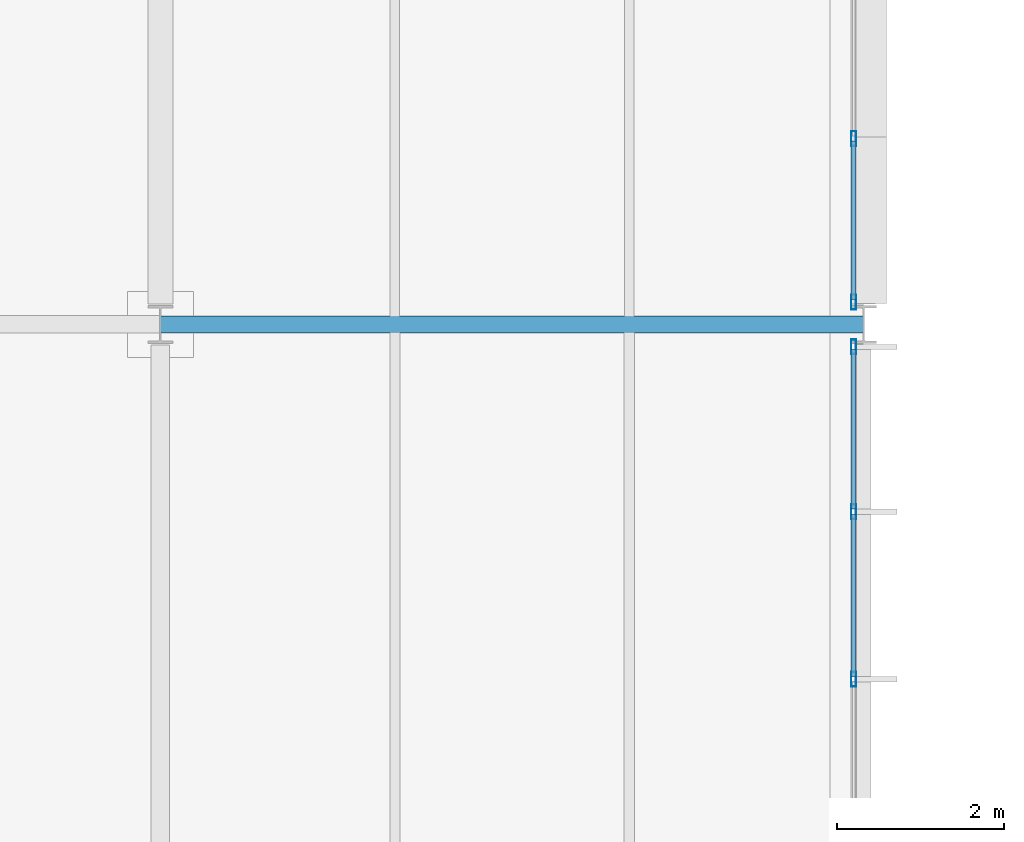
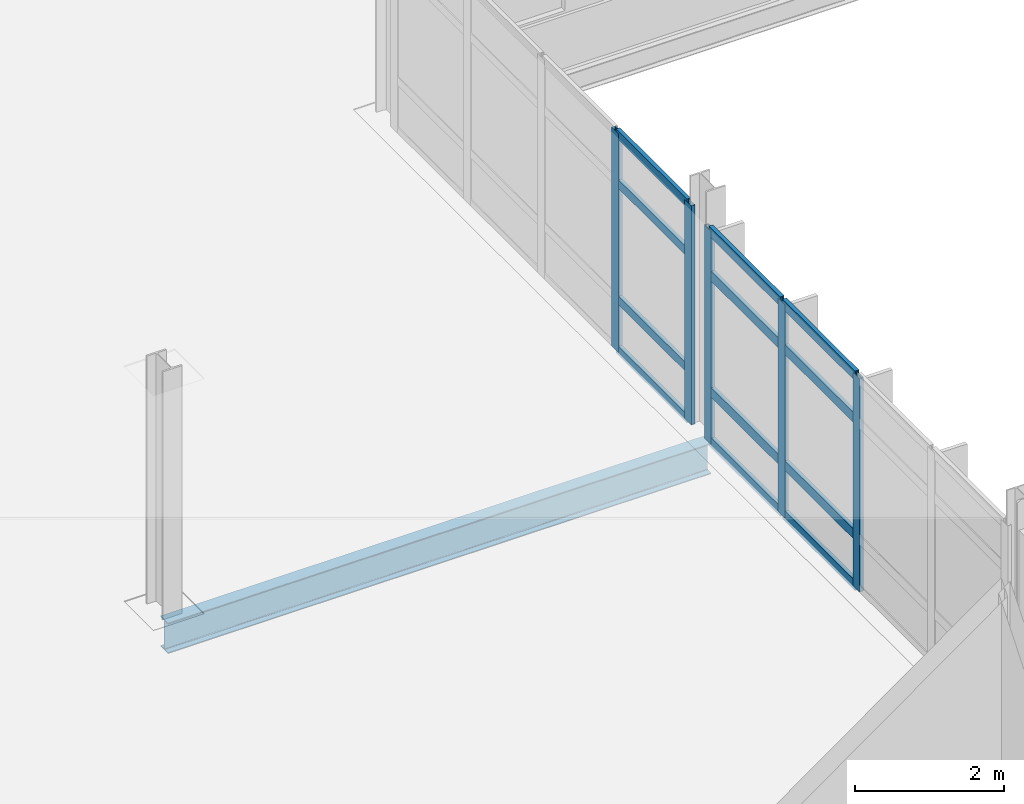
# One storey, part 51 of 103: 17 members, 1 beam, 2 elements without a shape of their own.
"""IFC4 building model written with IfcOpenShell, lengths in metres."""

import ifcopenshell
import ifcopenshell.guid

model = None  # the IFC model being written
_history = None  # IfcOwnerHistory: only IFC2X3 demands one
_inside = {}  # id of a spatial element -> (the spatial element, [elements in it])
_under = {}  # id of a project, library or spatial element -> (it, [spatial elements below it])
_declared = {}  # id of a project -> (the project, [libraries it declares])
_typed = {}  # id of a type object -> (the type object, [elements of that type])
_made_of = {}  # id of a material, layer set ... -> (it, [elements and type objects made of it])


def new_model(schema):
    """Start an empty IFC model of exactly this schema.

    Asked for "IFC4X3", IfcOpenShell would pick the latest addendum, in which some entities
    have other attributes; the version numbers below select the first issue.
    IFC2X3 requires an IfcOwnerHistory on every rooted entity: one is made here for all.
    """
    global model, _history
    if schema == "IFC4X3":
        model = ifcopenshell.file(schema_version=(4, 3, 0, 0))
    else:
        model = ifcopenshell.file(schema=schema)
    _inside.clear()
    _under.clear()
    _declared.clear()
    _typed.clear()
    _made_of.clear()
    _history = None
    if model.schema == "IFC2X3":
        org = make("IfcOrganization", Name="unknown")
        user = make(
            "IfcPersonAndOrganization",
            ThePerson=make("IfcPerson", FamilyName="unknown"),
            TheOrganization=org,
        )
        app = make(
            "IfcApplication",
            ApplicationDeveloper=org,
            Version="unknown",
            ApplicationFullName="unknown",
            ApplicationIdentifier="unknown",
        )
        _history = make(
            "IfcOwnerHistory",
            OwningUser=user,
            OwningApplication=app,
            ChangeAction="ADDED",
            CreationDate=0,
        )
    return model


def make(cls, **values):
    """One entity of the class cls with the attributes given. An attribute that is None is left unset."""
    return model.create_entity(
        cls, **{name: value for name, value in values.items() if value is not None}
    )


def rooted(cls, **values):
    """An entity with a GlobalId (a new one), such as an element, a storey or a relation."""
    return make(cls, GlobalId=ifcopenshell.guid.new(), OwnerHistory=_history, **values)


def si_unit(unit_type, name, prefix=None):
    """IfcSIUnit, for example si_unit("LENGTHUNIT", "METRE", prefix="MILLI")."""
    return make("IfcSIUnit", UnitType=unit_type, Prefix=prefix, Name=name)


def assignment(units):
    """IfcUnitAssignment: the units of a project."""
    return None if units is None else make("IfcUnitAssignment", Units=units)


def point(xyz):
    """IfcCartesianPoint."""
    return None if xyz is None else make("IfcCartesianPoint", Coordinates=xyz)


def direction(xyz):
    """IfcDirection."""
    return None if xyz is None else make("IfcDirection", DirectionRatios=xyz)


def frame(location, z_axis=None, x_axis=None):
    """IfcAxis2Placement3D, a coordinate frame: its origin and axes. An axis left out is left unset."""
    return make(
        "IfcAxis2Placement3D",
        Location=point(location),
        Axis=direction(z_axis),
        RefDirection=direction(x_axis),
    )


def frame_2d(location, x_axis=None):
    """IfcAxis2Placement2D, a coordinate frame in the plane: its origin and x axis."""
    return make(
        "IfcAxis2Placement2D", Location=point(location), RefDirection=direction(x_axis)
    )


def origin():
    """The frame at (0, 0, 0) with its axes left unset."""
    return frame((0.0, 0.0, 0.0))


def origin_2d():
    """The frame at (0, 0) in the plane with its x axis left unset."""
    return frame_2d((0.0, 0.0))


def place(relative_to, where):
    """IfcLocalPlacement: puts the frame where relative to a parent placement (None: the world)."""
    return make(
        "IfcLocalPlacement", PlacementRelTo=relative_to, RelativePlacement=where
    )


def context(
    kind, dimensions, precision=None, world=None, true_north=None, identifier=None
):
    """IfcGeometricRepresentationContext, for example the 3D "Model" context."""
    return make(
        "IfcGeometricRepresentationContext",
        ContextIdentifier=identifier,
        ContextType=kind,
        CoordinateSpaceDimension=dimensions,
        Precision=precision,
        WorldCoordinateSystem=world,
        TrueNorth=true_north,
    )


def subcontext(parent, identifier, kind, view, scale=None):
    """IfcGeometricRepresentationSubContext, for example "Body" below "Model"."""
    return make(
        "IfcGeometricRepresentationSubContext",
        ContextIdentifier=identifier,
        ContextType=kind,
        ParentContext=parent,
        TargetScale=scale,
        TargetView=view,
    )


def project(units=None, contexts=None):
    """IfcProject with its units and contexts."""
    return rooted(
        "IfcProject",
        Name="project",
        RepresentationContexts=contexts,
        UnitsInContext=assignment(units),
    )


def spatial(cls, under=None, at=None, **own):
    """A site, building, storey or space (cls), placed at a placement, below another one or the project."""
    s = rooted(cls, ObjectPlacement=at, **own)
    if under is not None:
        _under.setdefault(under.id(), (under, []))[1].append(s)
    return s


def profile(cls, at=None, kind="AREA", **sizes):
    """A parametric profile (cls). Its sizes go by their IFC names, for example OverallWidth=200.0."""
    return make(cls, ProfileType=kind, Position=at, **sizes)


def hollow_rectangle(**sizes):
    """IfcRectangleHollowProfileDef."""
    return profile("IfcRectangleHollowProfileDef", **sizes)


def i_section(**sizes):
    """IfcIShapeProfileDef."""
    return profile("IfcIShapeProfileDef", **sizes)


def extrude(swept, where, along, depth):
    """IfcExtrudedAreaSolid: the profile swept, set in the frame where, extruded along a direction by depth."""
    return make(
        "IfcExtrudedAreaSolid",
        SweptArea=swept,
        Position=where,
        ExtrudedDirection=direction(along),
        Depth=depth,
    )


def shape(context_of_items, identifier, shape_type, items):
    """IfcShapeRepresentation: the items that make up one representation, for example the "Body"."""
    return make(
        "IfcShapeRepresentation",
        ContextOfItems=context_of_items,
        RepresentationIdentifier=identifier,
        RepresentationType=shape_type,
        Items=items,
    )


def material(Name=None, Category=None):
    """IfcMaterial."""
    return make("IfcMaterial", Name=Name, Category=Category)


def material_profile(
    of_material, cross_section, Name=None, Category=None, Priority=None
):
    """IfcMaterialProfile: a cross section and its material."""
    return make(
        "IfcMaterialProfile",
        Name=Name,
        Material=of_material,
        Profile=cross_section,
        Priority=Priority,
        Category=Category,
    )


def profile_set(profiles, Name=None, composite=None):
    """IfcMaterialProfileSet."""
    return make(
        "IfcMaterialProfileSet",
        Name=Name,
        MaterialProfiles=profiles,
        CompositeProfile=composite,
    )


def made_of(thing, what):
    """Note that an element or type object is made of a material, layer set ...; save() writes the relation."""
    if what is not None:
        _made_of.setdefault(what.id(), (what, []))[1].append(thing)
    return thing


def type_object(cls, material=None, **own):
    """A type object (cls), such as IfcWallType, which elements share."""
    return made_of(rooted(cls, **own), material)


def element(
    cls,
    number,
    at=None,
    inside=None,
    cuts=None,
    type_object=None,
    material=None,
    context=None,
    identifier="Body",
    shape_type=None,
    held_by="IfcProductDefinitionShape",
    body=None,
    shapes=None,
    **own,
):
    """One element of the class cls, such as IfcWall. Its Tag is "e" and its number.

    at: its placement. inside: the storey or other place that contains it. cuts: it is an
    opening in that element (IfcRelVoidsElement). A single representation is given by context,
    identifier, shape_type and body (its items); several are given by shapes. held_by: the class
    of the entity that holds the representations. save() writes the other relations.
    """
    e = rooted(cls, Tag="e%d" % number, ObjectPlacement=at, **own)
    if body is not None:
        shapes = [shape(context, identifier, shape_type, body)]
    if shapes is not None:
        e.Representation = make(held_by, Representations=shapes)
    if inside is not None:
        _inside.setdefault(inside.id(), (inside, []))[1].append(e)
    if cuts is not None:
        rooted(
            "IfcRelVoidsElement", RelatingBuildingElement=cuts, RelatedOpeningElement=e
        )
    if type_object is not None:
        _typed.setdefault(type_object.id(), (type_object, []))[1].append(e)
    return made_of(e, material)


def aggregate(whole, parts):
    """IfcRelAggregates: a whole, such as a stair, and the parts it consists of."""
    return rooted("IfcRelAggregates", RelatingObject=whole, RelatedObjects=parts)


def save(model, path):
    """Write the relations noted so far, then the file.

    IfcRelAggregates (storeys below a building ...), IfcRelContainedInSpatialStructure (elements
    in a storey), IfcRelDefinesByType, IfcRelAssociatesMaterial and IfcRelDeclares: one each for
    every whole, place, type object, material and project.
    """
    for whole, parts in _under.values():
        aggregate(whole, parts)
    for where, things in _inside.values():
        rooted(
            "IfcRelContainedInSpatialStructure",
            RelatedElements=things,
            RelatingStructure=where,
        )
    for kind, things in _typed.values():
        rooted("IfcRelDefinesByType", RelatedObjects=things, RelatingType=kind)
    for what, things in _made_of.values():
        rooted("IfcRelAssociatesMaterial", RelatedObjects=things, RelatingMaterial=what)
    for by, libraries in _declared.values():
        rooted("IfcRelDeclares", RelatingContext=by, RelatedDefinitions=libraries)
    model.write(path)


model = new_model("IFC4")

# Units and contexts
model_context = context("Model", 3, precision=1e-05, world=origin(), true_north=direction((0.0, 1.0)))
body_context = subcontext(model_context, "Body", "Model", "MODEL_VIEW")
ifc_project = project(units=[si_unit("LENGTHUNIT", "METRE"), si_unit("AREAUNIT", "SQUARE_METRE"), si_unit("VOLUMEUNIT", "CUBIC_METRE"), si_unit("PLANEANGLEUNIT", "RADIAN"), si_unit("MASSUNIT", "GRAM", prefix="KILO")], contexts=[model_context])

# Site, building, storey
site_placement = place(None, origin())
site = spatial("IfcSite", under=ifc_project, at=site_placement, CompositionType="ELEMENT")
building_placement = place(site_placement, origin())
building = spatial("IfcBuilding", under=site, at=building_placement, Name="Mersafa Astral City Hall", CompositionType="ELEMENT")
storey_placement = place(building_placement, frame((0.0, 0.0, 18.0)))
storey = spatial("IfcBuildingStorey", under=building, at=storey_placement, Name="L04", CompositionType="ELEMENT", Elevation=18.0)

# Curtain wall, members
ifc_material_1 = material(Name="Anodised bronze aluminium framing", Category="aluminium")
curtain_wall_type_1 = type_object("IfcCurtainWallType", Name="ENV-CW-1", PredefinedType="USERDEFINED", material=ifc_material_1)
curtain_wall_1_placement = place(storey_placement, origin())
curtain_wall_1 = element("IfcCurtainWall", 1, at=curtain_wall_1_placement, inside=storey, type_object=curtain_wall_type_1, Name="L04 Unitised solar curtain wall 216", ObjectType="UNITISED CURTAIN WALL", PredefinedType="USERDEFINED")
ifc_material_profile_1 = material_profile(ifc_material_1, hollow_rectangle(XDim=0.06005859375, YDim=0.179931640625, WallThickness=0.00390625, at=origin_2d()), Name="RHS 60x180x4")
ifc_profile_set_1 = profile_set([ifc_material_profile_1], Name="Anodised bronze aluminium framing")
member_type_1 = type_object("IfcMemberType", Name="ENV-CW-MUL-1", PredefinedType="MULLION", material=ifc_profile_set_1)
member_1_placement = place(storey_placement, frame((117.47998046875, 104.96240234375, -0.001953125), z_axis=(0.0, 0.0, 1.0), x_axis=(-1.0, 0.0, 0.0)))
member_1 = element("IfcMember", 2, at=member_1_placement, type_object=member_type_1, Name="CW-1 mullion 3", PredefinedType="MULLION", context=body_context, shape_type="SweptSolid", body=[
    extrude(hollow_rectangle(XDim=0.06005859375, YDim=0.179931640625, WallThickness=0.00390625, at=origin_2d()), origin(), (0.0, 0.0, 1.0), 3.489013671875),
])
member_2_placement = place(storey_placement, frame((117.47998046875, 106.962646484375, -0.001953125), z_axis=(0.0, 0.0, 1.0), x_axis=(-1.0, 0.0, 0.0)))
member_2 = element("IfcMember", 3, at=member_2_placement, type_object=member_type_1, Name="CW-1 mullion 4", PredefinedType="MULLION", context=body_context, shape_type="SweptSolid", body=[
    extrude(hollow_rectangle(XDim=0.06005859375, YDim=0.179931640625, WallThickness=0.00390625, at=origin_2d()), origin(), (0.0, 0.0, 1.0), 3.489013671875),
])
member_3_placement = place(storey_placement, frame((117.47998046875, 108.93310546875, -0.001953125), z_axis=(0.0, 0.0, 1.0), x_axis=(-1.0, 0.0, 0.0)))
member_3 = element("IfcMember", 4, at=member_3_placement, type_object=member_type_1, Name="CW-1 mullion 5", PredefinedType="MULLION", context=body_context, shape_type="SweptSolid", body=[
    extrude(hollow_rectangle(XDim=0.06005859375, YDim=0.179931640625, WallThickness=0.00390625, at=origin_2d()), origin(), (0.0, 0.0, 1.0), 3.489013671875),
])

curtain_wall_type_2 = type_object("IfcCurtainWallType", Name="ENV-CW-2", PredefinedType="USERDEFINED", material=ifc_material_1)
curtain_wall_2_placement = place(storey_placement, origin())
curtain_wall_2 = element("IfcCurtainWall", 5, at=curtain_wall_2_placement, inside=storey, type_object=curtain_wall_type_2, Name="L04 Unitised solar curtain wall 217", ObjectType="UNITISED CURTAIN WALL", PredefinedType="USERDEFINED")
member_4_placement = place(storey_placement, frame((117.47998046875, 109.467041015625, -0.001953125), z_axis=(0.0, 0.0, 1.0), x_axis=(-1.0, 0.0, 0.0)))
member_4 = element("IfcMember", 6, at=member_4_placement, type_object=member_type_1, Name="CW-2 mullion 1", PredefinedType="MULLION", context=body_context, shape_type="SweptSolid", body=[
    extrude(hollow_rectangle(XDim=0.06005859375, YDim=0.179931640625, WallThickness=0.00390625, at=origin_2d()), origin(), (0.0, 0.0, 1.0), 3.578857421875),
])
member_5_placement = place(storey_placement, frame((117.47998046875, 111.41845703125, -0.001953125), z_axis=(0.0, 0.0, 1.0), x_axis=(-1.0, 0.0, 0.0)))
member_5 = element("IfcMember", 7, at=member_5_placement, type_object=member_type_1, Name="CW-2 mullion 2", PredefinedType="MULLION", context=body_context, shape_type="SweptSolid", body=[
    extrude(hollow_rectangle(XDim=0.06005859375, YDim=0.179931640625, WallThickness=0.00390625, at=origin_2d()), origin(), (0.0, 0.0, 1.0), 3.578857421875),
])
ifc_material_profile_2 = material_profile(ifc_material_1, hollow_rectangle(XDim=0.06005859375, YDim=0.139892578125, WallThickness=0.00390625, at=origin_2d()), Name="RHS 60x140x4")
ifc_profile_set_2 = profile_set([ifc_material_profile_2], Name="Anodised bronze aluminium framing")
member_type_2 = type_object("IfcMemberType", Name="ENV-CW-TRN-1", PredefinedType="USERDEFINED", material=ifc_profile_set_2)
member_6_placement = place(storey_placement, frame((117.47998046875, 109.4970703125, 0.028076171875), z_axis=(0.0, 1.0, 0.0), x_axis=(-1.0, 0.0, 0.0)))
member_6 = element("IfcMember", 8, at=member_6_placement, type_object=member_type_2, Name="CW-2 transom 1.1", ObjectType="TRANSOM", PredefinedType="USERDEFINED", context=body_context, shape_type="SweptSolid", body=[
    extrude(hollow_rectangle(XDim=0.06005859375, YDim=0.139892578125, WallThickness=0.00390625, at=origin_2d()), origin(), (0.0, 0.0, 1.0), 1.891357421875),
])
member_7_placement = place(storey_placement, frame((117.47998046875, 109.4970703125, 0.85009765625), z_axis=(0.0, 1.0, 0.0), x_axis=(-1.0, 0.0, 0.0)))
member_7 = element("IfcMember", 9, at=member_7_placement, type_object=member_type_2, Name="CW-2 transom 1.2", ObjectType="TRANSOM", PredefinedType="USERDEFINED", context=body_context, shape_type="SweptSolid", body=[
    extrude(hollow_rectangle(XDim=0.06005859375, YDim=0.139892578125, WallThickness=0.00390625, at=origin_2d()), origin(), (0.0, 0.0, 1.0), 1.891357421875),
])
member_8_placement = place(storey_placement, frame((117.47998046875, 109.4970703125, 2.75), z_axis=(0.0, 1.0, 0.0), x_axis=(-1.0, 0.0, 0.0)))
member_8 = element("IfcMember", 10, at=member_8_placement, type_object=member_type_2, Name="CW-2 transom 1.3", ObjectType="TRANSOM", PredefinedType="USERDEFINED", context=body_context, shape_type="SweptSolid", body=[
    extrude(hollow_rectangle(XDim=0.06005859375, YDim=0.139892578125, WallThickness=0.00390625, at=origin_2d()), origin(), (0.0, 0.0, 1.0), 1.891357421875),
])
member_9_placement = place(storey_placement, frame((117.47998046875, 109.4970703125, 3.547119140625), z_axis=(0.0, 1.0, 0.0), x_axis=(-1.0, 0.0, 0.0)))
member_9 = element("IfcMember", 11, at=member_9_placement, type_object=member_type_2, Name="CW-2 transom 1.4", ObjectType="TRANSOM", PredefinedType="USERDEFINED", context=body_context, shape_type="SweptSolid", body=[
    extrude(hollow_rectangle(XDim=0.06005859375, YDim=0.139892578125, WallThickness=0.00390625, at=origin_2d()), origin(), (0.0, 0.0, 1.0), 1.891357421875),
])
aggregate(curtain_wall_2, [member_4, member_5, member_6, member_7, member_8, member_9])

# Member
ifc_material_profile_3 = material_profile(ifc_material_1, hollow_rectangle(XDim=0.06005859375, YDim=0.159912109375, WallThickness=0.00390625, at=origin_2d()), Name="RHS 60x160x4")
ifc_profile_set_3 = profile_set([ifc_material_profile_3], Name="Anodised bronze aluminium framing")
member_type_3 = type_object("IfcMemberType", Name="ENV-CW-TRN-2", PredefinedType="USERDEFINED", material=ifc_profile_set_3)
member_10_placement = place(storey_placement, frame((117.47998046875, 104.992431640625, 0.028076171875), z_axis=(0.0, 1.0, 0.0), x_axis=(-1.0, 0.0, 0.0)))
member_10 = element("IfcMember", 12, at=member_10_placement, type_object=member_type_3, Name="CW-1 transom 3.1", ObjectType="TRANSOM", PredefinedType="USERDEFINED", context=body_context, shape_type="SweptSolid", body=[
    extrude(hollow_rectangle(XDim=0.06005859375, YDim=0.159912109375, WallThickness=0.00390625, at=origin_2d()), origin(), (0.0, 0.0, 1.0), 1.9404296875),
])

member_11_placement = place(storey_placement, frame((117.47998046875, 104.992431640625, 0.85009765625), z_axis=(0.0, 1.0, 0.0), x_axis=(-1.0, 0.0, 0.0)))
member_11 = element("IfcMember", 13, at=member_11_placement, type_object=member_type_3, Name="CW-1 transom 3.2", ObjectType="TRANSOM", PredefinedType="USERDEFINED", context=body_context, shape_type="SweptSolid", body=[
    extrude(hollow_rectangle(XDim=0.06005859375, YDim=0.159912109375, WallThickness=0.00390625, at=origin_2d()), origin(), (0.0, 0.0, 1.0), 1.9404296875),
])

member_12_placement = place(storey_placement, frame((117.47998046875, 104.992431640625, 2.75), z_axis=(0.0, 1.0, 0.0), x_axis=(-1.0, 0.0, 0.0)))
member_12 = element("IfcMember", 14, at=member_12_placement, type_object=member_type_3, Name="CW-1 transom 3.3", ObjectType="TRANSOM", PredefinedType="USERDEFINED", context=body_context, shape_type="SweptSolid", body=[
    extrude(hollow_rectangle(XDim=0.06005859375, YDim=0.159912109375, WallThickness=0.00390625, at=origin_2d()), origin(), (0.0, 0.0, 1.0), 1.9404296875),
])

member_13_placement = place(storey_placement, frame((117.47998046875, 104.992431640625, 3.45703125), z_axis=(0.0, 1.0, 0.0), x_axis=(-1.0, 0.0, 0.0)))
member_13 = element("IfcMember", 15, at=member_13_placement, type_object=member_type_3, Name="CW-1 transom 3.4", ObjectType="TRANSOM", PredefinedType="USERDEFINED", context=body_context, shape_type="SweptSolid", body=[
    extrude(hollow_rectangle(XDim=0.06005859375, YDim=0.159912109375, WallThickness=0.00390625, at=origin_2d()), origin(), (0.0, 0.0, 1.0), 1.9404296875),
])

member_14_placement = place(storey_placement, frame((117.47998046875, 106.99267578125, 0.028076171875), z_axis=(0.0, 1.0, 0.0), x_axis=(-1.0, 0.0, 0.0)))
member_14 = element("IfcMember", 16, at=member_14_placement, type_object=member_type_3, Name="CW-1 transom 4.1", ObjectType="TRANSOM", PredefinedType="USERDEFINED", context=body_context, shape_type="SweptSolid", body=[
    extrude(hollow_rectangle(XDim=0.06005859375, YDim=0.159912109375, WallThickness=0.00390625, at=origin_2d()), origin(), (0.0, 0.0, 1.0), 1.910400390625),
])

member_15_placement = place(storey_placement, frame((117.47998046875, 106.99267578125, 0.85009765625), z_axis=(0.0, 1.0, 0.0), x_axis=(-1.0, 0.0, 0.0)))
member_15 = element("IfcMember", 17, at=member_15_placement, type_object=member_type_3, Name="CW-1 transom 4.2", ObjectType="TRANSOM", PredefinedType="USERDEFINED", context=body_context, shape_type="SweptSolid", body=[
    extrude(hollow_rectangle(XDim=0.06005859375, YDim=0.159912109375, WallThickness=0.00390625, at=origin_2d()), origin(), (0.0, 0.0, 1.0), 1.910400390625),
])

member_16_placement = place(storey_placement, frame((117.47998046875, 106.99267578125, 2.75), z_axis=(0.0, 1.0, 0.0), x_axis=(-1.0, 0.0, 0.0)))
member_16 = element("IfcMember", 18, at=member_16_placement, type_object=member_type_3, Name="CW-1 transom 4.3", ObjectType="TRANSOM", PredefinedType="USERDEFINED", context=body_context, shape_type="SweptSolid", body=[
    extrude(hollow_rectangle(XDim=0.06005859375, YDim=0.159912109375, WallThickness=0.00390625, at=origin_2d()), origin(), (0.0, 0.0, 1.0), 1.910400390625),
])

member_17_placement = place(storey_placement, frame((117.47998046875, 106.99267578125, 3.45703125), z_axis=(0.0, 1.0, 0.0), x_axis=(-1.0, 0.0, 0.0)))
member_17 = element("IfcMember", 19, at=member_17_placement, type_object=member_type_3, Name="CW-1 transom 4.4", ObjectType="TRANSOM", PredefinedType="USERDEFINED", context=body_context, shape_type="SweptSolid", body=[
    extrude(hollow_rectangle(XDim=0.06005859375, YDim=0.159912109375, WallThickness=0.00390625, at=origin_2d()), origin(), (0.0, 0.0, 1.0), 1.910400390625),
])

aggregate(curtain_wall_1, [member_1, member_2, member_3, member_10, member_11, member_12, member_13, member_14, member_15, member_16, member_17])

# Beam
ifc_material_2 = material(Name="Steel S355", Category="steel")
ifc_material_profile_4 = material_profile(ifc_material_2, i_section(OverallWidth=0.199951171875, OverallDepth=0.5, WebThickness=0.01025390625, FlangeThickness=0.01611328125, FilletRadius=0.02099609375, at=origin_2d()), Name="IPE 500")
ifc_profile_set_4 = profile_set([ifc_material_profile_4], Name="Steel S355")
beam_type = type_object("IfcBeamType", Name="STR-BM-IPE500", PredefinedType="BEAM", material=ifc_profile_set_4)
beam_placement = place(storey_placement, frame((109.202880859375, 109.199951171875, -0.43505859375), z_axis=(1.0, 0.0, 0.0), x_axis=(0.0, 1.0, 0.0)))
element("IfcBeam", 20, at=beam_placement, inside=storey, type_object=beam_type, Name="L04 Primary girder X 13-13", PredefinedType="BEAM", context=body_context, shape_type="SweptSolid", body=[
    extrude(i_section(OverallWidth=0.199951171875, OverallDepth=0.5, WebThickness=0.01025390625, FlangeThickness=0.01611328125, FilletRadius=0.02099609375, at=origin_2d()), origin(), (0.0, 0.0, 1.0), 8.39404296875),
])

save(model, "model.ifc")
